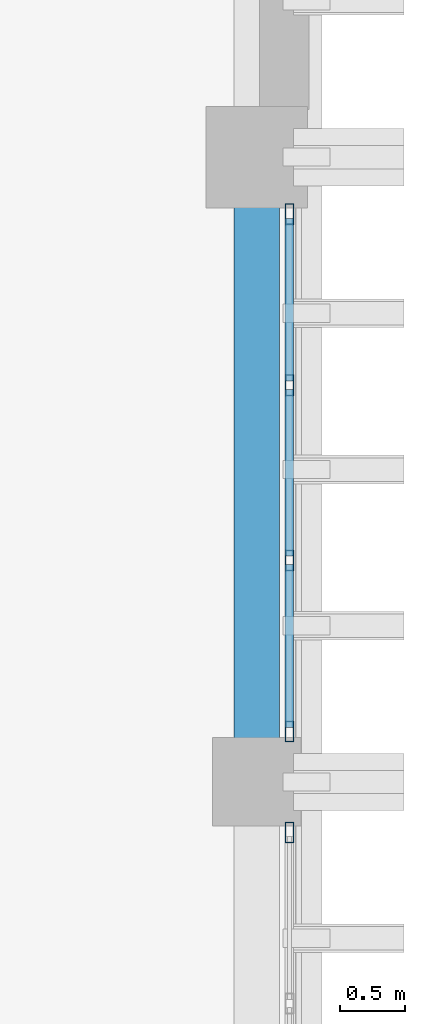
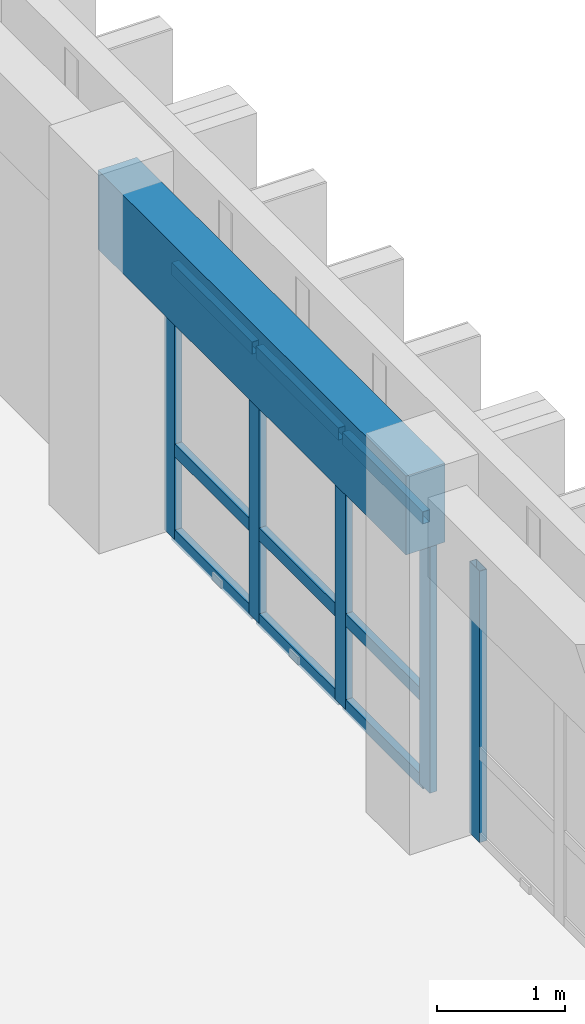
# One storey, part 8 of 68: 14 members, 1 beam, 2 elements without a shape of their own.
"""IFC4 building model written with IfcOpenShell, lengths in metres."""

from ifc_helpers import new_model, si_unit, direction, frame, origin, origin_2d, place, context, subcontext, project, spatial, rectangle, hollow_rectangle, extrude, material, layer, layer_set, material_profile, profile_set, type_object, element, aggregate, save


model = new_model("IFC4")

# Units and contexts
model_context = context("Model", 3, precision=1e-05, world=origin(), true_north=direction((0.0, 1.0)))
body_context = subcontext(model_context, "Body", "Model", "MODEL_VIEW")
ifc_project = project(units=[si_unit("LENGTHUNIT", "METRE"), si_unit("AREAUNIT", "SQUARE_METRE"), si_unit("VOLUMEUNIT", "CUBIC_METRE"), si_unit("PLANEANGLEUNIT", "RADIAN"), si_unit("MASSUNIT", "GRAM", prefix="KILO")], contexts=[model_context])

# Site, building, storey
site_placement = place(None, origin())
site = spatial("IfcSite", under=ifc_project, at=site_placement, CompositionType="ELEMENT")
building_placement = place(site_placement, origin())
building = spatial("IfcBuilding", under=site, at=building_placement, Name="Nakhvara Creek Congress Hotel", CompositionType="ELEMENT")
storey_placement = place(building_placement, frame((0.0, 0.0, 24.60009765625)))
storey = spatial("IfcBuildingStorey", under=building, at=storey_placement, Name="L05", CompositionType="ELEMENT", Elevation=24.60009765625)

# Beam
ifc_material_1 = material(Name="Concrete C40/50", Category="concrete")
ifc_material_profile_1 = material_profile(ifc_material_1, rectangle(XDim=0.35009765625, YDim=0.75, at=origin_2d()), Name="RC-SPANDREL 350x750", Category="LoadBearing")
ifc_profile_set_1 = profile_set([ifc_material_profile_1], Name="Concrete C40/50")
beam_type = type_object("IfcBeamType", Name="BM-SPN-350X750", PredefinedType="SPANDREL", material=ifc_profile_set_1)
beam_placement = place(storey_placement, frame((179.35009765625, 33.60009765625, 2.96484375), z_axis=(0.0, 1.0, 0.0), x_axis=(-1.0, 0.0, 0.0)))
element("IfcBeam", 1, at=beam_placement, inside=storey, type_object=beam_type, Name="Beam SP1-L05-2148", PredefinedType="SPANDREL", context=body_context, shape_type="SweptSolid", body=[
    extrude(rectangle(XDim=0.35009765625, YDim=0.75, at=origin_2d()), origin(), (0.0, 0.0, 1.0), 4.7998046875),
])

# Curtain wall, member
ifc_material_2 = material(Name="Bronze-anodised aluminium AW-6063-T6 and double-silver low-E glass", Category="aluminium")
ifc_layer = layer(ifc_material_2, 0.199951171875)
ifc_layer_set = layer_set([ifc_layer], Name="Bronze-anodised aluminium AW-6063-T6 and double-silver low-E glass")
curtain_wall_type = type_object("IfcCurtainWallType", Name="CW-HTL-UNIT", PredefinedType="USERDEFINED", material=ifc_layer_set)
curtain_wall_1_placement = place(storey_placement, origin())
curtain_wall_1 = element("IfcCurtainWall", 2, at=curtain_wall_1_placement, inside=storey, type_object=curtain_wall_type, Name="Curtain Wall CW202", ObjectType="UNITISED", PredefinedType="USERDEFINED")
ifc_material_3 = material(Name="Bronze-anodised aluminium AW-6063-T6", Category="aluminium")
ifc_material_profile_2 = material_profile(ifc_material_3, hollow_rectangle(XDim=0.06494140625, YDim=0.159912109375, WallThickness=0.00390625, at=origin_2d()), Name="ALU-MULL 65x160x4", Category="LoadBearing")
ifc_profile_set_2 = profile_set([ifc_material_profile_2], Name="Bronze-anodised aluminium AW-6063-T6")
member_type_1 = type_object("IfcMemberType", Name="CW-MULL-160", PredefinedType="MULLION", material=ifc_profile_set_2)
member_1_placement = place(storey_placement, frame((179.60009765625, 33.21240234375, 0.0), z_axis=(0.0, 0.0, 1.0), x_axis=(1.0, 0.0, 0.0)))
member_1 = element("IfcMember", 3, at=member_1_placement, type_object=member_type_1, Name="CW202 mullion 1", PredefinedType="MULLION", context=body_context, shape_type="SweptSolid", body=[
    extrude(hollow_rectangle(XDim=0.06494140625, YDim=0.159912109375, WallThickness=0.00390625, at=origin_2d()), origin(), (0.0, 0.0, 1.0), 2.581787109375),
])
aggregate(curtain_wall_1, [member_1])

# Curtain wall, members
curtain_wall_2_placement = place(storey_placement, origin())
curtain_wall_2 = element("IfcCurtainWall", 4, at=curtain_wall_2_placement, inside=storey, type_object=curtain_wall_type, Name="Curtain Wall CW204", ObjectType="UNITISED", PredefinedType="USERDEFINED")
member_2_placement = place(storey_placement, frame((179.60009765625, 37.96240234375, 0.0), z_axis=(0.0, 0.0, 1.0), x_axis=(1.0, 0.0, 0.0)))
member_2 = element("IfcMember", 5, at=member_2_placement, type_object=member_type_1, Name="CW204 mullion 1", PredefinedType="MULLION", context=body_context, shape_type="SweptSolid", body=[
    extrude(hollow_rectangle(XDim=0.06494140625, YDim=0.159912109375, WallThickness=0.00390625, at=origin_2d()), origin(), (0.0, 0.0, 1.0), 2.581787109375),
])
member_3_placement = place(storey_placement, frame((179.60009765625, 36.6484375, 0.0), z_axis=(0.0, 0.0, 1.0), x_axis=(1.0, 0.0, 0.0)))
member_3 = element("IfcMember", 6, at=member_3_placement, type_object=member_type_1, Name="CW204 mullion 2", PredefinedType="MULLION", context=body_context, shape_type="SweptSolid", body=[
    extrude(hollow_rectangle(XDim=0.06494140625, YDim=0.159912109375, WallThickness=0.00390625, at=origin_2d()), origin(), (0.0, 0.0, 1.0), 2.581787109375),
])
member_4_placement = place(storey_placement, frame((179.60009765625, 35.3017578125, 0.0), z_axis=(0.0, 0.0, 1.0), x_axis=(1.0, 0.0, 0.0)))
member_4 = element("IfcMember", 7, at=member_4_placement, type_object=member_type_1, Name="CW204 mullion 3", PredefinedType="MULLION", context=body_context, shape_type="SweptSolid", body=[
    extrude(hollow_rectangle(XDim=0.06494140625, YDim=0.159912109375, WallThickness=0.00390625, at=origin_2d()), origin(), (0.0, 0.0, 1.0), 2.581787109375),
])
member_5_placement = place(storey_placement, frame((179.60009765625, 33.987548828125, 0.0), z_axis=(0.0, 0.0, 1.0), x_axis=(1.0, 0.0, 0.0)))
member_5 = element("IfcMember", 8, at=member_5_placement, type_object=member_type_1, Name="CW204 mullion 4", PredefinedType="MULLION", context=body_context, shape_type="SweptSolid", body=[
    extrude(hollow_rectangle(XDim=0.06494140625, YDim=0.159912109375, WallThickness=0.00390625, at=origin_2d()), origin(), (0.0, 0.0, 1.0), 2.581787109375),
])
ifc_material_profile_3 = material_profile(ifc_material_3, hollow_rectangle(XDim=0.06494140625, YDim=0.1201171875, WallThickness=0.00390625, at=origin_2d()), Name="ALU-TRAN 65x120x4", Category="LoadBearing")
ifc_profile_set_3 = profile_set([ifc_material_profile_3], Name="Bronze-anodised aluminium AW-6063-T6")
member_type_2 = type_object("IfcMemberType", Name="CW-TRAN-120", PredefinedType="USERDEFINED", material=ifc_profile_set_3)
member_6_placement = place(storey_placement, frame((179.60009765625, 37.929931640625, 0.032470703125), z_axis=(0.0, -1.0, 0.0), x_axis=(1.0, 0.0, 0.0)))
member_6 = element("IfcMember", 9, at=member_6_placement, type_object=member_type_2, Name="CW204 transom 1.1", ObjectType="TRANSOM", PredefinedType="USERDEFINED", context=body_context, shape_type="SweptSolid", body=[
    extrude(hollow_rectangle(XDim=0.06494140625, YDim=0.1201171875, WallThickness=0.00390625, at=origin_2d()), origin(), (0.0, 0.0, 1.0), 1.2490234375),
])
member_7_placement = place(storey_placement, frame((179.60009765625, 37.929931640625, 0.849853515625), z_axis=(0.0, -1.0, 0.0), x_axis=(1.0, 0.0, 0.0)))
member_7 = element("IfcMember", 10, at=member_7_placement, type_object=member_type_2, Name="CW204 transom 1.2", ObjectType="TRANSOM", PredefinedType="USERDEFINED", context=body_context, shape_type="SweptSolid", body=[
    extrude(hollow_rectangle(XDim=0.06494140625, YDim=0.1201171875, WallThickness=0.00390625, at=origin_2d()), origin(), (0.0, 0.0, 1.0), 1.2490234375),
])
member_8_placement = place(storey_placement, frame((179.60009765625, 37.929931640625, 2.54931640625), z_axis=(0.0, -1.0, 0.0), x_axis=(1.0, 0.0, 0.0)))
member_8 = element("IfcMember", 11, at=member_8_placement, type_object=member_type_2, Name="CW204 transom 1.3", ObjectType="TRANSOM", PredefinedType="USERDEFINED", context=body_context, shape_type="SweptSolid", body=[
    extrude(hollow_rectangle(XDim=0.06494140625, YDim=0.1201171875, WallThickness=0.00390625, at=origin_2d()), origin(), (0.0, 0.0, 1.0), 1.2490234375),
])
member_9_placement = place(storey_placement, frame((179.60009765625, 36.61572265625, 0.032470703125), z_axis=(0.0, -1.0, 0.0), x_axis=(1.0, 0.0, 0.0)))
member_9 = element("IfcMember", 12, at=member_9_placement, type_object=member_type_2, Name="CW204 transom 2.1", ObjectType="TRANSOM", PredefinedType="USERDEFINED", context=body_context, shape_type="SweptSolid", body=[
    extrude(hollow_rectangle(XDim=0.06494140625, YDim=0.1201171875, WallThickness=0.00390625, at=origin_2d()), origin(), (0.0, 0.0, 1.0), 1.281494140625),
])
member_10_placement = place(storey_placement, frame((179.60009765625, 36.61572265625, 0.849853515625), z_axis=(0.0, -1.0, 0.0), x_axis=(1.0, 0.0, 0.0)))
member_10 = element("IfcMember", 13, at=member_10_placement, type_object=member_type_2, Name="CW204 transom 2.2", ObjectType="TRANSOM", PredefinedType="USERDEFINED", context=body_context, shape_type="SweptSolid", body=[
    extrude(hollow_rectangle(XDim=0.06494140625, YDim=0.1201171875, WallThickness=0.00390625, at=origin_2d()), origin(), (0.0, 0.0, 1.0), 1.281494140625),
])
member_11_placement = place(storey_placement, frame((179.60009765625, 36.61572265625, 2.54931640625), z_axis=(0.0, -1.0, 0.0), x_axis=(1.0, 0.0, 0.0)))
member_11 = element("IfcMember", 14, at=member_11_placement, type_object=member_type_2, Name="CW204 transom 2.3", ObjectType="TRANSOM", PredefinedType="USERDEFINED", context=body_context, shape_type="SweptSolid", body=[
    extrude(hollow_rectangle(XDim=0.06494140625, YDim=0.1201171875, WallThickness=0.00390625, at=origin_2d()), origin(), (0.0, 0.0, 1.0), 1.281494140625),
])
member_12_placement = place(storey_placement, frame((179.60009765625, 35.269287109375, 0.032470703125), z_axis=(0.0, -1.0, 0.0), x_axis=(1.0, 0.0, 0.0)))
member_12 = element("IfcMember", 15, at=member_12_placement, type_object=member_type_2, Name="CW204 transom 3.1", ObjectType="TRANSOM", PredefinedType="USERDEFINED", context=body_context, shape_type="SweptSolid", body=[
    extrude(hollow_rectangle(XDim=0.06494140625, YDim=0.1201171875, WallThickness=0.00390625, at=origin_2d()), origin(), (0.0, 0.0, 1.0), 1.249267578125),
])
member_13_placement = place(storey_placement, frame((179.60009765625, 35.269287109375, 0.849853515625), z_axis=(0.0, -1.0, 0.0), x_axis=(1.0, 0.0, 0.0)))
member_13 = element("IfcMember", 16, at=member_13_placement, type_object=member_type_2, Name="CW204 transom 3.2", ObjectType="TRANSOM", PredefinedType="USERDEFINED", context=body_context, shape_type="SweptSolid", body=[
    extrude(hollow_rectangle(XDim=0.06494140625, YDim=0.1201171875, WallThickness=0.00390625, at=origin_2d()), origin(), (0.0, 0.0, 1.0), 1.249267578125),
])
member_14_placement = place(storey_placement, frame((179.60009765625, 35.269287109375, 2.54931640625), z_axis=(0.0, -1.0, 0.0), x_axis=(1.0, 0.0, 0.0)))
member_14 = element("IfcMember", 17, at=member_14_placement, type_object=member_type_2, Name="CW204 transom 3.3", ObjectType="TRANSOM", PredefinedType="USERDEFINED", context=body_context, shape_type="SweptSolid", body=[
    extrude(hollow_rectangle(XDim=0.06494140625, YDim=0.1201171875, WallThickness=0.00390625, at=origin_2d()), origin(), (0.0, 0.0, 1.0), 1.249267578125),
])
aggregate(curtain_wall_2, [member_2, member_3, member_4, member_5, member_6, member_7, member_8, member_9, member_10, member_11, member_12, member_13, member_14])

save(model, "model.ifc")
